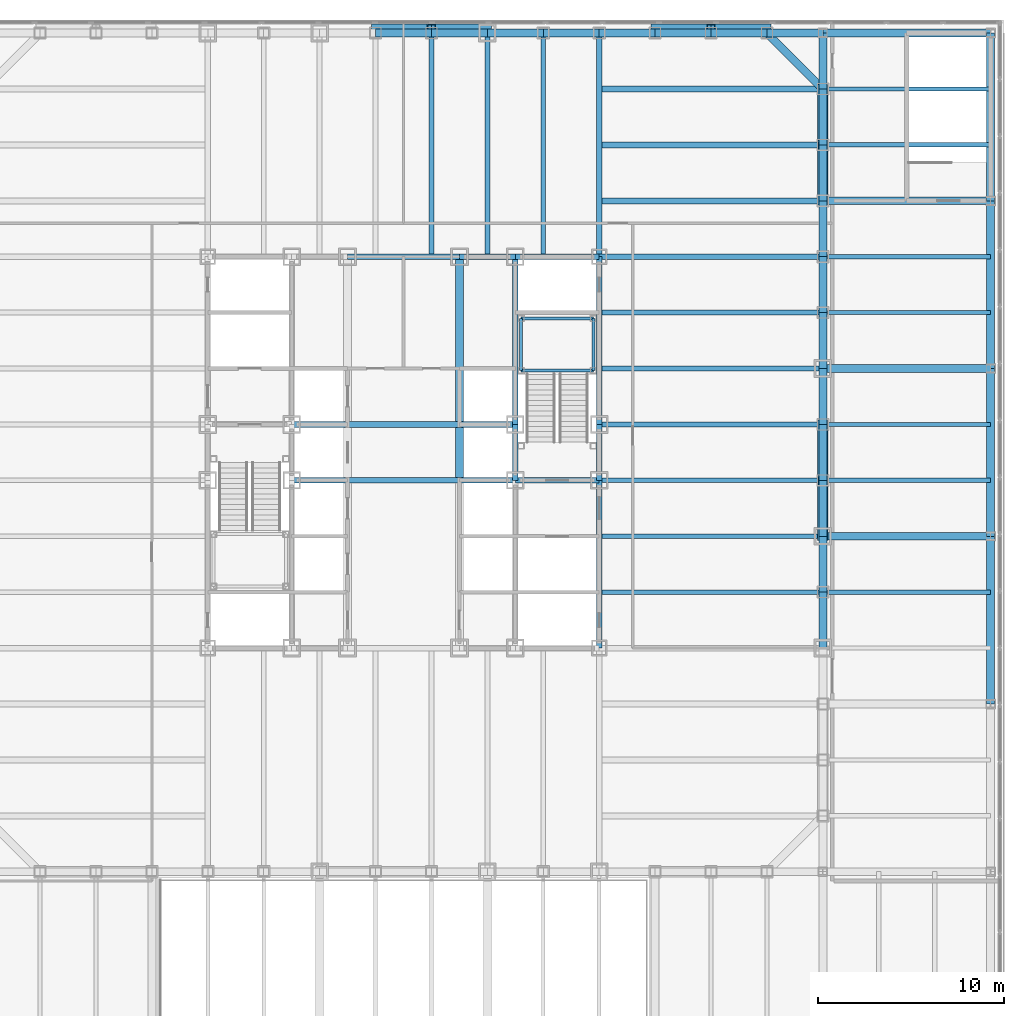
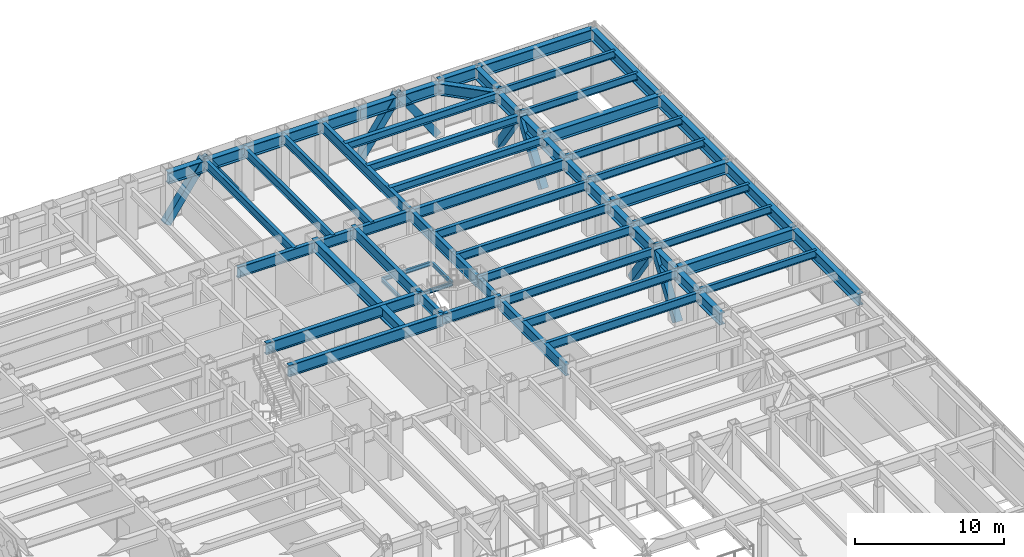
# One storey, part 7 of 24: 66 beams, 8 members.
"""IFC4 building model written with IfcOpenShell, lengths in metres."""

from ifc_helpers import new_model, si_unit, direction, frame, origin, origin_2d, place, context, subcontext, project, spatial, hollow_rectangle, i_section, extrude, material, material_profile, profile_set, type_object, element, save


model = new_model("IFC4")

# Units and contexts
model_context = context("Model", 3, precision=1e-05, world=origin(), true_north=direction((0.0, 1.0)))
body_context = subcontext(model_context, "Body", "Model", "MODEL_VIEW")
ifc_project = project(units=[si_unit("LENGTHUNIT", "METRE"), si_unit("AREAUNIT", "SQUARE_METRE"), si_unit("VOLUMEUNIT", "CUBIC_METRE"), si_unit("PLANEANGLEUNIT", "RADIAN"), si_unit("MASSUNIT", "GRAM", prefix="KILO")], contexts=[model_context])

# Site, building, storey
site_placement = place(None, origin())
site = spatial("IfcSite", under=ifc_project, at=site_placement, CompositionType="ELEMENT")
building_placement = place(site_placement, origin())
building = spatial("IfcBuilding", under=site, at=building_placement, Name="Chuquiago Exchange Tower", CompositionType="ELEMENT")
storey_placement = place(building_placement, frame((0.0, 0.0, 19.5)))
storey = spatial("IfcBuildingStorey", under=building, at=storey_placement, Name="L03", CompositionType="ELEMENT", Elevation=19.5)

# Beams
ifc_material_1 = material(Name="Steel ASTM A992", Category="steel")
ifc_material_profile_1 = material_profile(ifc_material_1, i_section(OverallWidth=0.307373046875, OverallDepth=0.927001953125, WebThickness=0.01953125, FlangeThickness=0.031982421875, at=origin_2d()), Name="W36X194")
ifc_profile_set_1 = profile_set([ifc_material_profile_1], Name="Steel ASTM A992")
beam_type_1 = type_object("IfcBeamType", Name="B10 W36X194", PredefinedType="BEAM", material=ifc_profile_set_1)
for number, where, z_axis, x_axis, name in (
    (1, (28.5, 24.0, 4.176513671875), (0.0, 1.0, 0.0), (-1.0, 0.0, 0.0), "CB-L04-28.5_24-28.5_33"),
    (2, (33.0, 12.0, 3.87646484375), (0.0, 1.0, 0.0), (-1.0, 0.0, 0.0), "CB-L04-33_12-33_21"),
    (3, (33.0, 24.0, 3.87646484375), (0.0, 1.0, 0.0), (-1.0, 0.0, 0.0), "CB-L04-33_24-33_33"),
):
    element("IfcBeam", number, at=place(storey_placement, frame(where, z_axis=z_axis, x_axis=x_axis)), inside=storey, type_object=beam_type_1, Name=name, PredefinedType="BEAM", context=body_context, shape_type="SweptSolid", body=[
        extrude(i_section(OverallWidth=0.307373046875, OverallDepth=0.927001953125, WebThickness=0.01953125, FlangeThickness=0.031982421875, at=origin_2d()), origin(), (0.0, 0.0, 1.0), 9.0),
    ])
ifc_material_2 = material(Name="Steel ASTM A992", Category="steel")
ifc_material_profile_2 = material_profile(ifc_material_2, i_section(OverallWidth=0.309814453125, OverallDepth=0.949951171875, WebThickness=0.0244140625, FlangeThickness=0.0439453125, at=origin_2d()), Name="W36X256")
ifc_profile_set_2 = profile_set([ifc_material_profile_2], Name="Steel ASTM A992")
beam_type_2 = type_object("IfcBeamType", Name="B11 W36X256", PredefinedType="BEAM", material=ifc_profile_set_2)
for number, where, z_axis, x_axis, name in (
    (4, (16.5, 21.0, 4.1650390625), (1.0, 0.0, 0.0), (0.0, 1.0, 0.0), "CB-L04-16.5_21-28.5_21"),
    (5, (16.5, 24.0, 4.1650390625), (1.0, 0.0, 0.0), (0.0, 1.0, 0.0), "CB-L04-16.5_24-28.5_24"),
):
    element("IfcBeam", number, at=place(storey_placement, frame(where, z_axis=z_axis, x_axis=x_axis)), inside=storey, type_object=beam_type_2, Name=name, PredefinedType="BEAM", context=body_context, shape_type="SweptSolid", body=[
        extrude(i_section(OverallWidth=0.309814453125, OverallDepth=0.949951171875, WebThickness=0.0244140625, FlangeThickness=0.0439453125, at=origin_2d()), origin(), (0.0, 0.0, 1.0), 12.0),
    ])
ifc_material_3 = material(Name="Steel ASTM A992", Category="steel")
ifc_material_profile_3 = material_profile(ifc_material_3, i_section(OverallWidth=0.4267578125, OverallDepth=0.975341796875, WebThickness=0.031005859375, FlangeThickness=0.055908203125, at=origin_2d()), Name="W36X395")
ifc_profile_set_3 = profile_set([ifc_material_profile_3], Name="Steel ASTM A992")
beam_type_3 = type_object("IfcBeamType", Name="B12 W36X395", PredefinedType="BEAM", material=ifc_profile_set_3)
beam_1_placement = place(storey_placement, frame((25.5, 21.15478515625, 4.15234375), z_axis=(0.0, 1.0, 0.0), x_axis=(-1.0, 0.0, 0.0)))
element("IfcBeam", 6, at=beam_1_placement, inside=storey, type_object=beam_type_3, Name="CB-L04-25.5_21.1549-25.5_23.8451", PredefinedType="BEAM", context=body_context, shape_type="SweptSolid", body=[
    extrude(i_section(OverallWidth=0.4267578125, OverallDepth=0.975341796875, WebThickness=0.031005859375, FlangeThickness=0.055908203125, at=origin_2d()), origin(), (0.0, 0.0, 1.0), 2.6904296875),
])
beam_2_placement = place(storey_placement, frame((25.5, 24.15478515625, 4.15234375), z_axis=(0.0, 1.0, 0.0), x_axis=(-1.0, 0.0, 0.0)))
element("IfcBeam", 7, at=beam_2_placement, inside=storey, type_object=beam_type_3, Name="CB-L04-25.5_24.1549-25.5_33", PredefinedType="BEAM", context=body_context, shape_type="SweptSolid", body=[
    extrude(i_section(OverallWidth=0.4267578125, OverallDepth=0.975341796875, WebThickness=0.031005859375, FlangeThickness=0.055908203125, at=origin_2d()), origin(), (0.0, 0.0, 1.0), 8.84521484375),
])
ifc_material_4 = material(Name="Steel ASTM A992", Category="steel")
ifc_material_profile_4 = material_profile(ifc_material_4, i_section(OverallWidth=0.2919921875, OverallDepth=0.8583984375, WebThickness=0.01708984375, FlangeThickness=0.031005859375, at=origin_2d()), Name="W33X169")
ifc_profile_set_4 = profile_set([ifc_material_profile_4], Name="Steel ASTM A992")
beam_type_4 = type_object("IfcBeamType", Name="B3 W33X169", PredefinedType="BEAM", material=ifc_profile_set_4)
for number, where, z_axis, x_axis, name in (
    (8, (28.5, 21.0, 4.210693359375), (0.0, 1.0, 0.0), (-1.0, 0.0, 0.0), "CB-L04-28.5_21-28.5_24"),
    (9, (33.0, 21.0, 3.91064453125), (0.0, 1.0, 0.0), (-1.0, 0.0, 0.0), "CB-L04-33_21-33_24"),
):
    element("IfcBeam", number, at=place(storey_placement, frame(where, z_axis=z_axis, x_axis=x_axis)), inside=storey, type_object=beam_type_4, Name=name, PredefinedType="BEAM", context=body_context, shape_type="SweptSolid", body=[
        extrude(i_section(OverallWidth=0.2919921875, OverallDepth=0.8583984375, WebThickness=0.01708984375, FlangeThickness=0.031005859375, at=origin_2d()), origin(), (0.0, 0.0, 1.0), 3.0),
    ])
beam_3_placement = place(storey_placement, frame((28.5, 21.0, 4.210693359375), z_axis=(1.0, 0.0, 0.0), x_axis=(0.0, 1.0, 0.0)))
element("IfcBeam", 10, at=beam_3_placement, inside=storey, type_object=beam_type_4, Name="CB-L04-28.5_21-33_21", PredefinedType="BEAM", context=body_context, shape_type="SweptSolid", body=[
    extrude(i_section(OverallWidth=0.2919921875, OverallDepth=0.8583984375, WebThickness=0.01708984375, FlangeThickness=0.031005859375, at=origin_2d()), origin(), (0.0, 0.0, 1.0), 4.5),
])
beam_4_placement = place(storey_placement, frame((19.5, 33.0, 3.91064453125), z_axis=(1.0, 0.0, 0.0), x_axis=(0.0, 1.0, 0.0)))
element("IfcBeam", 11, at=beam_4_placement, inside=storey, type_object=beam_type_4, Name="CB-L04-19.5_33-25.5_33", PredefinedType="BEAM", context=body_context, shape_type="SweptSolid", body=[
    extrude(i_section(OverallWidth=0.2919921875, OverallDepth=0.8583984375, WebThickness=0.01708984375, FlangeThickness=0.031005859375, at=origin_2d()), origin(), (0.0, 0.0, 1.0), 6.0),
])
beam_5_placement = place(storey_placement, frame((25.5, 33.0, 3.91064453125), z_axis=(1.0, 0.0, 0.0), x_axis=(0.0, 1.0, 0.0)))
element("IfcBeam", 12, at=beam_5_placement, inside=storey, type_object=beam_type_4, Name="CB-L04-25.5_33-28.5_33", PredefinedType="BEAM", context=body_context, shape_type="SweptSolid", body=[
    extrude(i_section(OverallWidth=0.2919921875, OverallDepth=0.8583984375, WebThickness=0.01708984375, FlangeThickness=0.031005859375, at=origin_2d()), origin(), (0.0, 0.0, 1.0), 3.0),
])
beam_6_placement = place(storey_placement, frame((28.5, 33.0, 3.91064453125), z_axis=(1.0, 0.0, 0.0), x_axis=(0.0, 1.0, 0.0)))
element("IfcBeam", 13, at=beam_6_placement, inside=storey, type_object=beam_type_4, Name="CB-L04-28.5_33-33_33", PredefinedType="BEAM", context=body_context, shape_type="SweptSolid", body=[
    extrude(i_section(OverallWidth=0.2919921875, OverallDepth=0.8583984375, WebThickness=0.01708984375, FlangeThickness=0.031005859375, at=origin_2d()), origin(), (0.0, 0.0, 1.0), 4.5),
])
ifc_material_5 = material(Name="Steel ASTM A992", Category="steel")
ifc_material_profile_5 = material_profile(ifc_material_5, i_section(OverallWidth=0.256591796875, OverallDepth=0.693359375, WebThickness=0.014404296875, FlangeThickness=0.023681640625, at=origin_2d()), Name="W27X114")
ifc_profile_set_5 = profile_set([ifc_material_profile_5], Name="Steel ASTM A992")
beam_type_5 = type_object("IfcBeamType", Name="B4 W27X114", PredefinedType="BEAM", material=ifc_profile_set_5)
for number, where, z_axis, x_axis, name in (
    (14, (24.0, 33.0, 3.993408203125), (0.0, 1.0, 0.0), (-1.0, 0.0, 0.0), "FB-L04-infill-24_33-24_45-0"),
    (15, (27.0, 33.0, 3.993408203125), (0.0, 1.0, 0.0), (-1.0, 0.0, 0.0), "FB-L04-infill-27_33-27_45-0"),
    (16, (30.0, 33.0, 3.993408203125), (0.0, 1.0, 0.0), (-1.0, 0.0, 0.0), "FB-L04-infill-30_33-30_45-0"),
    (17, (33.0, 15.0, 3.993408203125), (1.0, 0.0, 0.0), (0.0, 1.0, 0.0), "FB-L04-infill-33_15-45_15-0"),
    (18, (33.0, 18.0, 3.993408203125), (1.0, 0.0, 0.0), (0.0, 1.0, 0.0), "FB-L04-infill-33_18-45_18-0"),
    (19, (33.0, 21.0, 3.993408203125), (1.0, 0.0, 0.0), (0.0, 1.0, 0.0), "FB-L04-infill-33_21-45_21-0"),
    (20, (33.0, 24.0, 3.993408203125), (1.0, 0.0, 0.0), (0.0, 1.0, 0.0), "FB-L04-infill-33_24-45_24-0"),
    (21, (33.0, 27.0, 3.993408203125), (1.0, 0.0, 0.0), (0.0, 1.0, 0.0), "FB-L04-infill-33_27-45_27-0"),
    (22, (33.0, 30.0, 3.993408203125), (1.0, 0.0, 0.0), (0.0, 1.0, 0.0), "FB-L04-infill-33_30-45_30-0"),
):
    element("IfcBeam", number, at=place(storey_placement, frame(where, z_axis=z_axis, x_axis=x_axis)), inside=storey, type_object=beam_type_5, Name=name, PredefinedType="BEAM", context=body_context, shape_type="SweptSolid", body=[
        extrude(i_section(OverallWidth=0.256591796875, OverallDepth=0.693359375, WebThickness=0.014404296875, FlangeThickness=0.023681640625, at=origin_2d()), origin(), (0.0, 0.0, 1.0), 12.0),
    ])
ifc_material_6 = material(Name="Steel ASTM A992", Category="steel")
ifc_material_profile_6 = material_profile(ifc_material_6, i_section(OverallWidth=0.3251953125, OverallDepth=0.6171875, WebThickness=0.013916015625, FlangeThickness=0.021484375, at=origin_2d()), Name="W24X117")
ifc_profile_set_6 = profile_set([ifc_material_profile_6], Name="Steel ASTM A992")
beam_type_6 = type_object("IfcBeamType", Name="B5 W24X117", PredefinedType="BEAM", material=ifc_profile_set_6)
for number, where, z_axis, x_axis, name in (
    (23, (33.0, 36.0, 4.031494140625), (1.0, 0.0, 0.0), (0.0, 1.0, 0.0), "FB-L04-corner-33_36-45_36-0"),
    (24, (33.0, 39.0, 4.031494140625), (1.0, 0.0, 0.0), (0.0, 1.0, 0.0), "FB-L04-corner-33_39-45_39-0"),
    (25, (33.0, 42.0, 4.031494140625), (1.0, 0.0, 0.0), (0.0, 1.0, 0.0), "FB-L04-corner-33_42-45_42-0"),
):
    element("IfcBeam", number, at=place(storey_placement, frame(where, z_axis=z_axis, x_axis=x_axis)), inside=storey, type_object=beam_type_6, Name=name, PredefinedType="BEAM", context=body_context, shape_type="SweptSolid", body=[
        extrude(i_section(OverallWidth=0.3251953125, OverallDepth=0.6171875, WebThickness=0.013916015625, FlangeThickness=0.021484375, at=origin_2d()), origin(), (0.0, 0.0, 1.0), 12.0),
    ])
ifc_material_7 = material(Name="Steel ASTM A992", Category="steel")
ifc_material_profile_7 = material_profile(ifc_material_7, i_section(OverallWidth=0.2919921875, OverallDepth=0.8583984375, WebThickness=0.01708984375, FlangeThickness=0.031005859375, at=origin_2d()), Name="W33X169")
ifc_profile_set_7 = profile_set([ifc_material_profile_7], Name="Steel ASTM A992")
beam_type_7 = type_object("IfcBeamType", Name="G2 W33X169", PredefinedType="BEAM", material=ifc_profile_set_7)
for number, where, z_axis, x_axis, name in (
    (26, (33.0, 33.0, 3.91064453125), (0.0, 1.0, 0.0), (-1.0, 0.0, 0.0), "FB-L04-girder-33_33-33_45-0"),
    (27, (33.0, 33.0, 3.91064453125), (1.0, 0.0, 0.0), (0.0, 1.0, 0.0), "FB-L04-girder-33_33-45_33-0"),
):
    element("IfcBeam", number, at=place(storey_placement, frame(where, z_axis=z_axis, x_axis=x_axis)), inside=storey, type_object=beam_type_7, Name=name, PredefinedType="BEAM", context=body_context, shape_type="SweptSolid", body=[
        extrude(i_section(OverallWidth=0.2919921875, OverallDepth=0.8583984375, WebThickness=0.01708984375, FlangeThickness=0.031005859375, at=origin_2d()), origin(), (0.0, 0.0, 1.0), 12.0),
    ])
ifc_material_8 = material(Name="Steel ASTM A992", Category="steel")
ifc_material_profile_8 = material_profile(ifc_material_8, i_section(OverallWidth=0.164794921875, OverallDepth=0.309814453125, WebThickness=0.005859375, FlangeThickness=0.009765625, at=origin_2d()), Name="W12X26")
ifc_profile_set_8 = profile_set([ifc_material_profile_8], Name="Steel ASTM A992")
beam_type_8 = type_object("IfcBeamType", Name="LS1 W12X26", PredefinedType="BEAM", material=ifc_profile_set_8)
for number, where, z_axis, x_axis, name in (
    (28, (28.81005859375, 26.889892578125, 2.045166015625), (0.0, 1.0, 0.0), (-1.0, 0.0, 0.0), "Stair ST2 L03 landing 1 stringer"),
    (29, (32.68994140625, 26.889892578125, 2.045166015625), (0.0, 1.0, 0.0), (-1.0, 0.0, 0.0), "Stair ST2 L03 landing 1 stringer"),
):
    element("IfcBeam", number, at=place(storey_placement, frame(where, z_axis=z_axis, x_axis=x_axis)), inside=storey, type_object=beam_type_8, Name=name, PredefinedType="BEAM", context=body_context, shape_type="SweptSolid", body=[
        extrude(i_section(OverallWidth=0.164794921875, OverallDepth=0.309814453125, WebThickness=0.005859375, FlangeThickness=0.009765625, at=origin_2d()), origin(), (0.0, 0.0, 1.0), 2.800048828125),
    ])
ifc_material_9 = material(Name="Steel ASTM A992", Category="steel")
ifc_material_profile_9 = material_profile(ifc_material_9, i_section(OverallWidth=0.164794921875, OverallDepth=0.309814453125, WebThickness=0.005859375, FlangeThickness=0.009765625, at=origin_2d()), Name="W12X26")
ifc_profile_set_9 = profile_set([ifc_material_profile_9], Name="Steel ASTM A992")
beam_type_9 = type_object("IfcBeamType", Name="LT1 W12X26", PredefinedType="BEAM", material=ifc_profile_set_9)
for number, where, z_axis, x_axis, name in (
    (30, (28.81005859375, 29.68994140625, 2.045166015625), (1.0, 0.0, 0.0), (0.0, 1.0, 0.0), "Stair ST2 L03 landing 1 trimmer"),
    (31, (28.81005859375, 26.889892578125, 2.045166015625), (1.0, 0.0, 0.0), (0.0, 1.0, 0.0), "Stair ST2 L03 landing 1 trimmer"),
):
    element("IfcBeam", number, at=place(storey_placement, frame(where, z_axis=z_axis, x_axis=x_axis)), inside=storey, type_object=beam_type_9, Name=name, PredefinedType="BEAM", context=body_context, shape_type="SweptSolid", body=[
        extrude(i_section(OverallWidth=0.164794921875, OverallDepth=0.309814453125, WebThickness=0.005859375, FlangeThickness=0.009765625, at=origin_2d()), origin(), (0.0, 0.0, 1.0), 3.8798828125),
    ])

# Members
ifc_material_10 = material(Name="Steel ASTM A572 Grade 50", Category="steel")
ifc_material_profile_10 = material_profile(ifc_material_10, hollow_rectangle(XDim=0.550048828125, YDim=0.550048828125, WallThickness=0.044921875, at=origin_2d()), Name="BOX550X550X45")
ifc_profile_set_10 = profile_set([ifc_material_profile_10], Name="Steel ASTM A572 Grade 50")
member_type = type_object("IfcMemberType", Name="MB1 BOX550X550X45", PredefinedType="BRACE", material=ifc_profile_set_10)
for number, where, z_axis, x_axis, name in (
    (32, (45.0, 18.0, 0.0), (0.0, 0.568610676405, 0.822606770382), (-1.0, 0.0, 0.0), "Mega diagonal L03 E face"),
    (33, (45.0, 24.0, 0.0), (0.0, -0.568610676405, 0.822606770382), (1.0, 0.0, 0.0), "Mega diagonal L03 E face"),
    (34, (45.0, 36.0, 0.0), (0.0, 0.568610676405, 0.822606770382), (-1.0, 0.0, 0.0), "Mega diagonal L03 E face"),
    (35, (45.0, 42.0, 0.0), (0.0, -0.568610676405, 0.822606770382), (1.0, 0.0, 0.0), "Mega diagonal L03 E face"),
    (36, (42.0, 45.205078125, 0.0), (-0.568610676405, 0.0, 0.822606770382), (0.0, -1.0, 0.0), "Mega diagonal L03 N face"),
    (37, (36.0, 45.205078125, 0.0), (0.568610676405, 0.0, 0.822606770382), (0.0, 1.0, 0.0), "Mega diagonal L03 N face"),
    (38, (27.0, 45.205078125, 0.0), (-0.568610676405, 0.0, 0.822606770382), (0.0, -1.0, 0.0), "Mega diagonal L03 N face"),
    (39, (21.0, 45.205078125, 0.0), (0.568610676405, 0.0, 0.822606770382), (0.0, 1.0, 0.0), "Mega diagonal L03 N face"),
):
    element("IfcMember", number, at=place(storey_placement, frame(where, z_axis=z_axis, x_axis=x_axis)), inside=storey, type_object=member_type, Name=name, PredefinedType="BRACE", context=body_context, shape_type="SweptSolid", body=[
        extrude(hollow_rectangle(XDim=0.550048828125, YDim=0.550048828125, WallThickness=0.044921875, at=origin_2d()), origin(), (0.0, 0.0, 1.0), 5.276123046875),
    ])

# Beams
ifc_material_11 = material(Name="Steel ASTM A992", Category="steel")
ifc_material_profile_11 = material_profile(ifc_material_11, i_section(OverallWidth=0.227783203125, OverallDepth=0.60205078125, WebThickness=0.010498046875, FlangeThickness=0.014892578125, at=origin_2d()), Name="W24X68")
ifc_profile_set_11 = profile_set([ifc_material_profile_11], Name="Steel ASTM A992")
beam_type_10 = type_object("IfcBeamType", Name="PB1 W24X68", PredefinedType="BEAM", material=ifc_profile_set_11)
for number, where, z_axis, x_axis, name in (
    (40, (45.0, 15.0, 4.299072265625), (1.0, 0.0, 0.0), (0.0, 1.0, 0.0), "PB-L04-45_15"),
    (41, (45.0, 21.0, 4.299072265625), (1.0, 0.0, 0.0), (0.0, 1.0, 0.0), "PB-L04-45_21"),
    (42, (45.0, 24.0, 4.299072265625), (1.0, 0.0, 0.0), (0.0, 1.0, 0.0), "PB-L04-45_24"),
    (43, (45.0, 30.0, 4.299072265625), (1.0, 0.0, 0.0), (0.0, 1.0, 0.0), "PB-L04-45_30"),
    (44, (45.0, 33.0, 4.299072265625), (1.0, 0.0, 0.0), (0.0, 1.0, 0.0), "PB-L04-45_33"),
    (45, (45.0, 39.0, 4.299072265625), (1.0, 0.0, 0.0), (0.0, 1.0, 0.0), "PB-L04-45_39"),
    (46, (45.0, 42.0, 4.299072265625), (1.0, 0.0, 0.0), (0.0, 1.0, 0.0), "PB-L04-45_42"),
):
    element("IfcBeam", number, at=place(storey_placement, frame(where, z_axis=z_axis, x_axis=x_axis)), inside=storey, type_object=beam_type_10, Name=name, PredefinedType="BEAM", context=body_context, shape_type="SweptSolid", body=[
        extrude(i_section(OverallWidth=0.227783203125, OverallDepth=0.60205078125, WebThickness=0.010498046875, FlangeThickness=0.014892578125, at=origin_2d()), origin(), (0.0, 0.0, 1.0), 9.0),
    ])
ifc_material_12 = material(Name="Steel ASTM A992", Category="steel")
ifc_material_profile_12 = material_profile(ifc_material_12, i_section(OverallWidth=0.424072265625, OverallDepth=0.947509765625, WebThickness=0.02392578125, FlangeThickness=0.042724609375, at=origin_2d()), Name="W36X302")
ifc_profile_set_12 = profile_set([ifc_material_profile_12], Name="Steel ASTM A992")
beam_type_11 = type_object("IfcBeamType", Name="PG1 W36X302", PredefinedType="BEAM", material=ifc_profile_set_12)
beam_7_placement = place(storey_placement, frame((45.0, 42.0, 4.126220703125), z_axis=(0.0, 1.0, 0.0), x_axis=(-1.0, 0.0, 0.0)))
element("IfcBeam", 47, at=beam_7_placement, inside=storey, type_object=beam_type_11, Name="PG-L04-45_42-45_45", PredefinedType="BEAM", context=body_context, shape_type="SweptSolid", body=[
    extrude(i_section(OverallWidth=0.424072265625, OverallDepth=0.947509765625, WebThickness=0.02392578125, FlangeThickness=0.042724609375, at=origin_2d()), origin(), (0.0, 0.0, 1.0), 3.0),
])
for number, where, z_axis, x_axis, name in (
    (48, (54.0, 9.0, 4.126220703125), (0.0, 1.0, 0.0), (-1.0, 0.0, 0.0), "PG-L04-54_9-54_18"),
    (49, (54.0, 18.0, 4.126220703125), (0.0, 1.0, 0.0), (-1.0, 0.0, 0.0), "PG-L04-54_18-54_27"),
    (50, (54.0, 27.0, 4.126220703125), (0.0, 1.0, 0.0), (-1.0, 0.0, 0.0), "PG-L04-54_27-54_36"),
    (51, (54.0, 36.0, 4.126220703125), (0.0, 1.0, 0.0), (-1.0, 0.0, 0.0), "PG-L04-54_36-54_45"),
    (52, (45.0, 18.0, 4.126220703125), (1.0, 0.0, 0.0), (0.0, 1.0, 0.0), "PG-L04-45_18-54_18"),
    (53, (45.0, 27.0, 4.126220703125), (1.0, 0.0, 0.0), (0.0, 1.0, 0.0), "PG-L04-45_27-54_27"),
    (54, (45.0, 36.0, 4.126220703125), (1.0, 0.0, 0.0), (0.0, 1.0, 0.0), "PG-L04-45_36-54_36"),
):
    element("IfcBeam", number, at=place(storey_placement, frame(where, z_axis=z_axis, x_axis=x_axis)), inside=storey, type_object=beam_type_11, Name=name, PredefinedType="BEAM", context=body_context, shape_type="SweptSolid", body=[
        extrude(i_section(OverallWidth=0.424072265625, OverallDepth=0.947509765625, WebThickness=0.02392578125, FlangeThickness=0.042724609375, at=origin_2d()), origin(), (0.0, 0.0, 1.0), 9.0),
    ])
beam_8_placement = place(storey_placement, frame((42.0, 45.0, 4.126220703125), z_axis=(1.0, 0.0, 0.0), x_axis=(0.0, 1.0, 0.0)))
element("IfcBeam", 55, at=beam_8_placement, inside=storey, type_object=beam_type_11, Name="PG-L04-42_45-45_45", PredefinedType="BEAM", context=body_context, shape_type="SweptSolid", body=[
    extrude(i_section(OverallWidth=0.424072265625, OverallDepth=0.947509765625, WebThickness=0.02392578125, FlangeThickness=0.042724609375, at=origin_2d()), origin(), (0.0, 0.0, 1.0), 3.0),
])
beam_9_placement = place(storey_placement, frame((45.0, 45.0, 4.126220703125), z_axis=(1.0, 0.0, 0.0), x_axis=(0.0, 1.0, 0.0)))
element("IfcBeam", 56, at=beam_9_placement, inside=storey, type_object=beam_type_11, Name="PG-L04-45_45-54_45", PredefinedType="BEAM", context=body_context, shape_type="SweptSolid", body=[
    extrude(i_section(OverallWidth=0.424072265625, OverallDepth=0.947509765625, WebThickness=0.02392578125, FlangeThickness=0.042724609375, at=origin_2d()), origin(), (0.0, 0.0, 1.0), 9.0),
])
ifc_material_13 = material(Name="Steel ASTM A992", Category="steel")
ifc_material_profile_13 = material_profile(ifc_material_13, i_section(OverallWidth=0.424072265625, OverallDepth=0.947509765625, WebThickness=0.02392578125, FlangeThickness=0.042724609375, at=origin_2d()), Name="W36X302")
ifc_profile_set_13 = profile_set([ifc_material_profile_13], Name="Steel ASTM A992")
beam_type_12 = type_object("IfcBeamType", Name="SP1 W36X302", PredefinedType="SPANDREL", material=ifc_profile_set_13)
for number, where, z_axis, x_axis, name in (
    (57, (45.0, 12.0, 3.8662109375), (0.0, 1.0, 0.0), (-1.0, 0.0, 0.0), "SPB-L04-45_12-45_15"),
    (58, (45.0, 15.0, 3.8662109375), (0.0, 1.0, 0.0), (-1.0, 0.0, 0.0), "SPB-L04-45_15-45_18"),
    (59, (45.0, 18.0, 3.8662109375), (0.0, 1.0, 0.0), (-1.0, 0.0, 0.0), "SPB-L04-45_18-45_21"),
    (60, (45.0, 21.0, 3.8662109375), (0.0, 1.0, 0.0), (-1.0, 0.0, 0.0), "SPB-L04-45_21-45_24"),
    (61, (45.0, 24.0, 3.8662109375), (0.0, 1.0, 0.0), (-1.0, 0.0, 0.0), "SPB-L04-45_24-45_27"),
    (62, (45.0, 27.0, 3.8662109375), (0.0, 1.0, 0.0), (-1.0, 0.0, 0.0), "SPB-L04-45_27-45_30"),
    (63, (45.0, 30.0, 3.8662109375), (0.0, 1.0, 0.0), (-1.0, 0.0, 0.0), "SPB-L04-45_30-45_33"),
    (64, (45.0, 33.0, 3.8662109375), (0.0, 1.0, 0.0), (-1.0, 0.0, 0.0), "SPB-L04-45_33-45_36"),
    (65, (45.0, 36.0, 3.8662109375), (0.0, 1.0, 0.0), (-1.0, 0.0, 0.0), "SPB-L04-45_36-45_39"),
    (66, (45.0, 39.0, 3.8662109375), (0.0, 1.0, 0.0), (-1.0, 0.0, 0.0), "SPB-L04-45_39-45_42"),
):
    element("IfcBeam", number, at=place(storey_placement, frame(where, z_axis=z_axis, x_axis=x_axis)), inside=storey, type_object=beam_type_12, Name=name, PredefinedType="SPANDREL", context=body_context, shape_type="SweptSolid", body=[
        extrude(i_section(OverallWidth=0.424072265625, OverallDepth=0.947509765625, WebThickness=0.02392578125, FlangeThickness=0.042724609375, at=origin_2d()), origin(), (0.0, 0.0, 1.0), 3.0),
    ])
beam_10_placement = place(storey_placement, frame((45.0, 42.0, 3.8662109375), z_axis=(-0.707106781187, 0.707106781187, 0.0), x_axis=(-0.707106781187, -0.707106781187, 0.0)))
element("IfcBeam", 67, at=beam_10_placement, inside=storey, type_object=beam_type_12, Name="SPB-L04-45_42-42_45", PredefinedType="SPANDREL", context=body_context, shape_type="SweptSolid", body=[
    extrude(i_section(OverallWidth=0.424072265625, OverallDepth=0.947509765625, WebThickness=0.02392578125, FlangeThickness=0.042724609375, at=origin_2d()), origin(), (0.0, 0.0, 1.0), 4.24267578125),
])
for number, where, z_axis, x_axis, name in (
    (68, (42.0, 45.0, 3.8662109375), (-1.0, 0.0, 0.0), (0.0, -1.0, 0.0), "SPB-L04-42_45-39_45"),
    (69, (39.0, 45.0, 3.8662109375), (-1.0, 0.0, 0.0), (0.0, -1.0, 0.0), "SPB-L04-39_45-36_45"),
    (70, (36.0, 45.0, 3.8662109375), (-1.0, 0.0, 0.0), (0.0, -1.0, 0.0), "SPB-L04-36_45-33_45"),
    (71, (33.0, 45.0, 3.8662109375), (-1.0, 0.0, 0.0), (0.0, -1.0, 0.0), "SPB-L04-33_45-30_45"),
    (72, (30.0, 45.0, 3.8662109375), (-1.0, 0.0, 0.0), (0.0, -1.0, 0.0), "SPB-L04-30_45-27_45"),
    (73, (27.0, 45.0, 3.8662109375), (-1.0, 0.0, 0.0), (0.0, -1.0, 0.0), "SPB-L04-27_45-24_45"),
    (74, (24.0, 45.0, 3.8662109375), (-1.0, 0.0, 0.0), (0.0, -1.0, 0.0), "SPB-L04-24_45-21_45"),
):
    element("IfcBeam", number, at=place(storey_placement, frame(where, z_axis=z_axis, x_axis=x_axis)), inside=storey, type_object=beam_type_12, Name=name, PredefinedType="SPANDREL", context=body_context, shape_type="SweptSolid", body=[
        extrude(i_section(OverallWidth=0.424072265625, OverallDepth=0.947509765625, WebThickness=0.02392578125, FlangeThickness=0.042724609375, at=origin_2d()), origin(), (0.0, 0.0, 1.0), 3.0),
    ])

save(model, "model.ifc")
